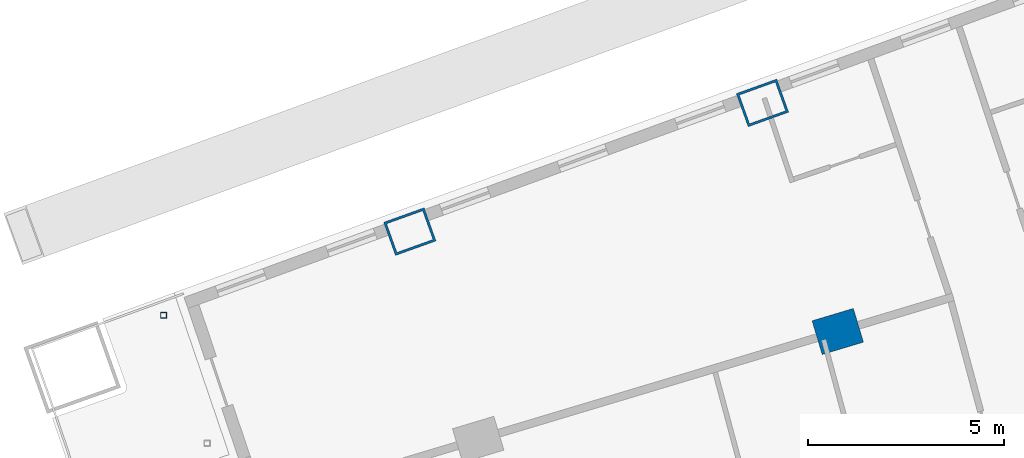
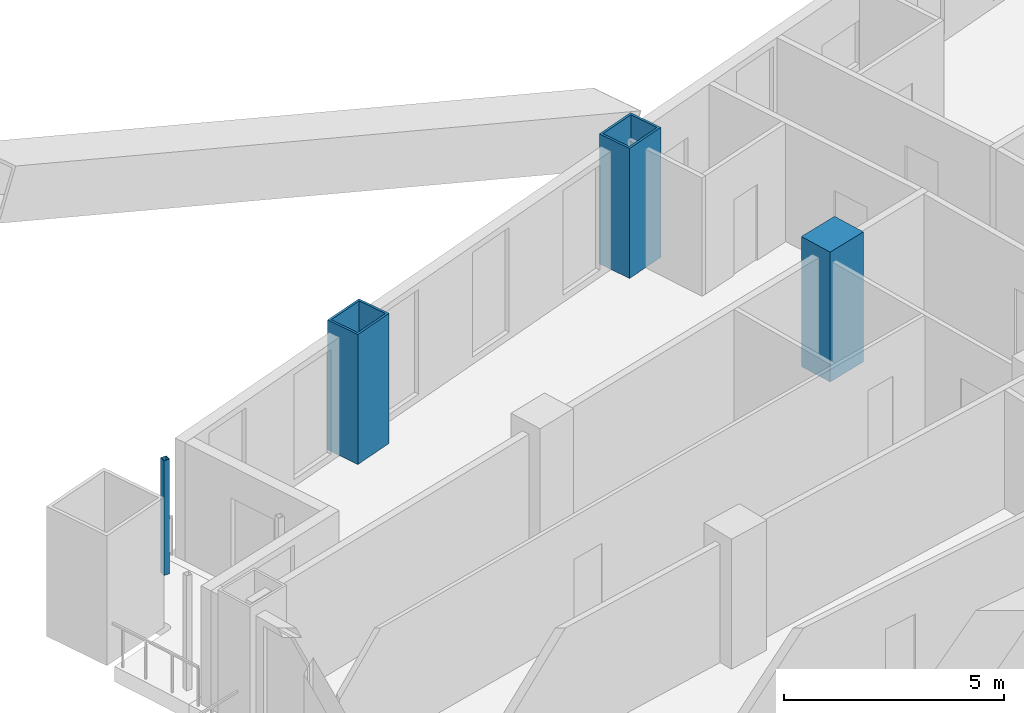
# One storey, part 9 of 25: 4 columns.
"""IFC4 building model written with IfcOpenShell, lengths in metres."""

from ifc_helpers import new_model, si_unit, direction, frame, origin, origin_2d, place, context, subcontext, project, spatial, rectangle, hollow_rectangle, extrude, material, material_profile, profile_set, type_object, element, save


model = new_model("IFC4")

# Units and contexts
model_context = context("Model", 3, precision=1e-05, world=origin(), true_north=direction((0.0, 1.0)))
body_context = subcontext(model_context, "Body", "Model", "MODEL_VIEW")
ifc_project = project(units=[si_unit("LENGTHUNIT", "METRE"), si_unit("AREAUNIT", "SQUARE_METRE"), si_unit("VOLUMEUNIT", "CUBIC_METRE"), si_unit("PLANEANGLEUNIT", "RADIAN"), si_unit("MASSUNIT", "GRAM", prefix="KILO")], contexts=[model_context])

# Site, building, storey
site_placement = place(None, origin())
site = spatial("IfcSite", under=ifc_project, at=site_placement, CompositionType="ELEMENT")
building_placement = place(site_placement, origin())
building = spatial("IfcBuilding", under=site, at=building_placement, Name="Alderwake Tower", CompositionType="ELEMENT")
storey_placement = place(building_placement, frame((0.0, 0.0, 42.800048828125)))
storey = spatial("IfcBuildingStorey", under=building, at=storey_placement, Name="L09", CompositionType="ELEMENT", Elevation=42.800048828125)

# Columns
ifc_material_1 = material(Name="Steel ASTM A572 Grade 50 concrete filled C70/85", Category="concrete")
ifc_material_profile_1 = material_profile(ifc_material_1, hollow_rectangle(XDim=0.89990234375, YDim=1.10009765625, WallThickness=0.06005859375, at=origin_2d()), Name="BOX 1100X900X60")
ifc_profile_set_1 = profile_set([ifc_material_profile_1], Name="Steel ASTM A572 Grade 50 concrete filled C70/85")
column_type_1 = type_object("IfcColumnType", Name="End column Z1", PredefinedType="COLUMN", material=ifc_profile_set_1)
for number, where, z_axis, x_axis, name in (
    (1, (19.965576171875, 96.8515625, 0.0), (0.0, 0.0, 1.0), (-0.337584879279, 0.9412950915, 0.0), "Column R13-C1"),
    (2, (28.983642578125, 100.143310546875, 0.0), (0.0, 0.0, 1.0), (-0.338026774049, 0.941136493834, 0.0), "Column R13-C2"),
):
    element("IfcColumn", number, at=place(storey_placement, frame(where, z_axis=z_axis, x_axis=x_axis)), inside=storey, type_object=column_type_1, Name=name, PredefinedType="COLUMN", context=body_context, shape_type="SweptSolid", body=[
        extrude(hollow_rectangle(XDim=0.89990234375, YDim=1.10009765625, WallThickness=0.06005859375, at=origin_2d()), origin(), (0.0, 0.0, 1.0), 3.599853515625),
    ])
ifc_material_2 = material(Name="Concrete C70/85", Category="concrete")
ifc_material_profile_2 = material_profile(ifc_material_2, rectangle(XDim=0.89990234375, YDim=1.10009765625, at=origin_2d()), Name="RC 1100X900")
ifc_profile_set_2 = profile_set([ifc_material_profile_2], Name="Concrete C70/85")
column_type_2 = type_object("IfcColumnType", Name="Interior column Z1", PredefinedType="COLUMN", material=ifc_profile_set_2)
column_1_placement = place(storey_placement, frame((30.9091796875, 94.298095703125, 0.0), z_axis=(0.0, 0.0, 1.0), x_axis=(-0.287549418125, 0.957765802342, 0.0)))
element("IfcColumn", 3, at=column_1_placement, inside=storey, type_object=column_type_2, Name="Column R12-C2", PredefinedType="COLUMN", context=body_context, shape_type="SweptSolid", body=[
    extrude(rectangle(XDim=0.89990234375, YDim=1.10009765625, at=origin_2d()), origin(), (0.0, 0.0, 1.0), 3.599853515625),
])
ifc_material_3 = material(Name="Steel ASTM A500 Grade C", Category="steel")
ifc_material_profile_3 = material_profile(ifc_material_3, hollow_rectangle(XDim=0.15234375, YDim=0.15234375, WallThickness=0.0087890625, at=origin_2d()), Name="HSS6X6X3/8")
ifc_profile_set_3 = profile_set([ifc_material_profile_3], Name="Steel ASTM A500 Grade C")
column_type_3 = type_object("IfcColumnType", Name="Light post HSS6X6X3/8", PredefinedType="COLUMN", material=ifc_profile_set_3)
column_2_placement = place(storey_placement, frame((13.66796875, 94.71240234375, 0.0), z_axis=(0.0, 0.0, 1.0), x_axis=(1.0, 0.0, 0.0)))
element("IfcColumn", 4, at=column_2_placement, inside=storey, type_object=column_type_3, Name="Terrace post RN2", PredefinedType="COLUMN", context=body_context, shape_type="SweptSolid", body=[
    extrude(hollow_rectangle(XDim=0.15234375, YDim=0.15234375, WallThickness=0.0087890625, at=origin_2d()), origin(), (0.0, 0.0, 1.0), 3.179931640625),
])

save(model, "model.ifc")
